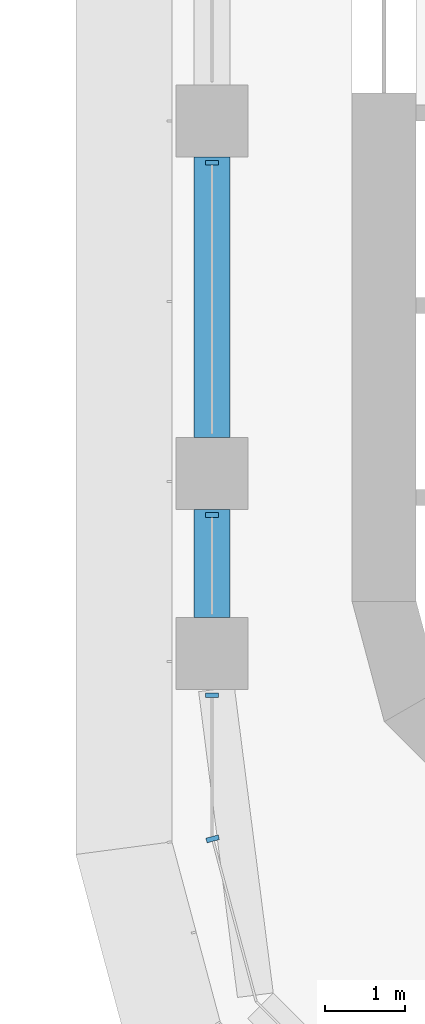
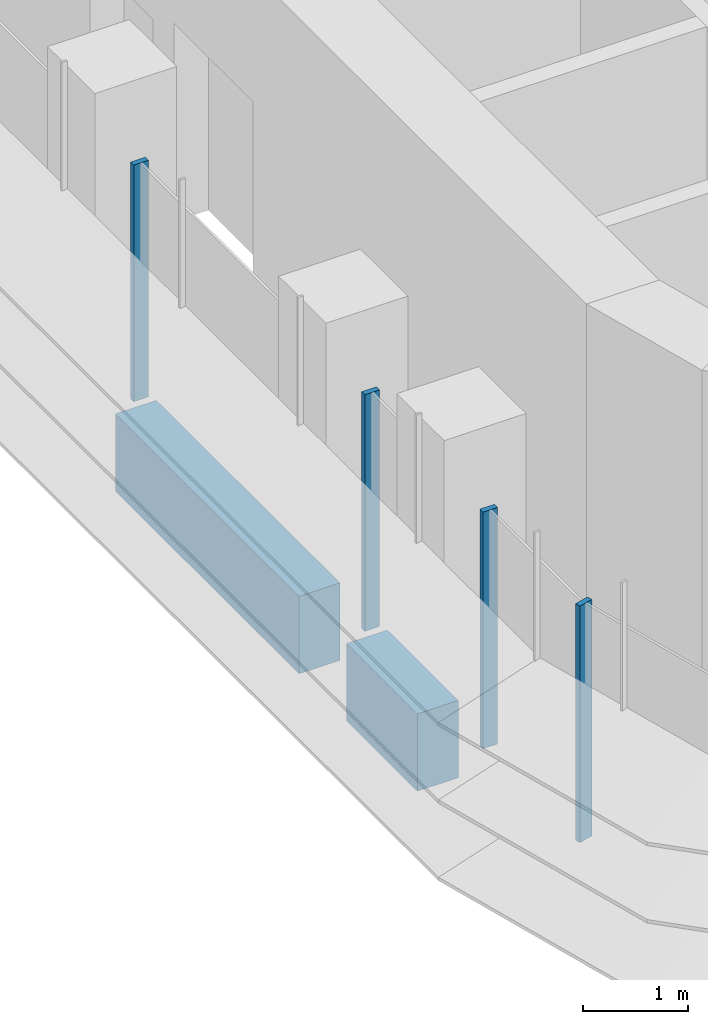
# One storey, part 2 of 22: 4 members, 2 beams, 2 elements without a shape of their own.
"""IFC4 building model written with IfcOpenShell, lengths in metres."""

from ifc_helpers import new_model, si_unit, direction, frame, origin, origin_2d, place, context, subcontext, project, spatial, polyline, rectangle, outline, extrude, source, transform, mapped, material, material_profile, profile_set, type_object, element, aggregate, save


model = new_model("IFC4")

# Units and contexts
model_context = context("Model", 3, precision=1e-05, world=origin(), true_north=direction((0.0, 1.0)))
body_context = subcontext(model_context, "Body", "Model", "MODEL_VIEW")
ifc_project = project(units=[si_unit("LENGTHUNIT", "METRE"), si_unit("AREAUNIT", "SQUARE_METRE"), si_unit("VOLUMEUNIT", "CUBIC_METRE"), si_unit("PLANEANGLEUNIT", "RADIAN"), si_unit("MASSUNIT", "GRAM", prefix="KILO")], contexts=[model_context])

# Site, building, storey
site_placement = place(None, origin())
site = spatial("IfcSite", under=ifc_project, at=site_placement, CompositionType="ELEMENT")
building_placement = place(site_placement, origin())
building = spatial("IfcBuilding", under=site, at=building_placement, Name="Zarbagh Exchange Tower", CompositionType="ELEMENT")
storey_placement = place(building_placement, frame((0.0, 0.0, 105.60009765625)))
storey = spatial("IfcBuildingStorey", under=building, at=storey_placement, Name="L24", CompositionType="ELEMENT", Elevation=105.60009765625)

# Beams
ifc_material_1 = material(Name="Concrete C60/75", Category="concrete")
ifc_material_profile = material_profile(ifc_material_1, rectangle(XDim=0.449951171875, YDim=0.89990234375, at=origin_2d()), Name="RC spandrel beam 450 x 900 C60/75")
ifc_profile_set = profile_set([ifc_material_profile], Name="Concrete C60/75")
beam_type = type_object("IfcBeamType", Name="RC spandrel beam 450 x 900 C60/75", PredefinedType="SPANDREL", material=ifc_profile_set)
beam_1_placement = place(storey_placement, frame((-6.25, -26.449951171875, -0.60009765625), z_axis=(0.0, 1.0, 0.0), x_axis=(-1.0, 0.0, 0.0)))
element("IfcBeam", 1, at=beam_1_placement, inside=storey, type_object=beam_type, Name="RC spandrel beam", PredefinedType="SPANDREL", context=body_context, shape_type="SweptSolid", body=[
    extrude(rectangle(XDim=0.449951171875, YDim=0.89990234375, at=origin_2d()), origin(), (0.0, 0.0, 1.0), 1.349853515625),
])
beam_2_placement = place(storey_placement, frame((-6.25, -24.199951171875, -0.60009765625), z_axis=(0.0, 1.0, 0.0), x_axis=(-1.0, 0.0, 0.0)))
element("IfcBeam", 2, at=beam_2_placement, inside=storey, type_object=beam_type, Name="RC spandrel beam", PredefinedType="SPANDREL", context=body_context, shape_type="SweptSolid", body=[
    extrude(rectangle(XDim=0.449951171875, YDim=0.89990234375, at=origin_2d()), origin(), (0.0, 0.0, 1.0), 3.5),
])

# Curtain wall, members
ifc_material_2 = material(Name="Anodised aluminium frame and glazing", Category="aluminium")
curtain_wall_type = type_object("IfcCurtainWallType", Name="CWA Ribbon glazing, lower zones", PredefinedType="NOTDEFINED", material=ifc_material_2)
curtain_wall_1_placement = place(storey_placement, origin())
curtain_wall_1 = element("IfcCurtainWall", 3, at=curtain_wall_1_placement, inside=storey, type_object=curtain_wall_type, Name="CWA44 curtain wall", PredefinedType="NOTDEFINED")
ifc_material_3 = material(Name="Anodised aluminium frame", Category="aluminium")
member_type = type_object("IfcMemberType", Name="MUA Mullion, anodised aluminium frame", PredefinedType="MULLION", material=ifc_material_3)
shared_shape = source(origin(), body_context, "Body", "SweptSolid", [
    extrude(outline(polyline([(0.0, -0.080078125), (0.06005859375, -0.080078125), (0.06005859375, 0.080078125), (0.0, 0.080078125), (0.0, -0.080078125)])), origin(), (0.0, 0.0, 1.0), 2.75),
])
placement = place(storey_placement, origin())
member_1 = element("IfcMember", 4, at=placement, type_object=member_type, Name="CWA44 mullion 3.1", PredefinedType="MULLION", context=body_context, shape_type="MappedRepresentation", body=[
    mapped(shared_shape, transform((-6.25, -20.739990234375, 0.0), x_axis=(0.0, -1.0, 0.0), y_axis=(1.0, 0.0, 0.0), z_axis=(0.0, 0.0, 1.0))),
])
member_2 = element("IfcMember", 5, at=placement, type_object=member_type, Name="CWA44 mullion 4.1", PredefinedType="MULLION", context=body_context, shape_type="MappedRepresentation", body=[
    mapped(shared_shape, transform((-6.25, -25.14013671875, 0.0), x_axis=(0.0, -1.0, 0.0), y_axis=(1.0, 0.0, 0.0), z_axis=(0.0, 0.0, 1.0))),
])
member_3 = element("IfcMember", 6, at=placement, type_object=member_type, Name="CWA44 mullion 5.1", PredefinedType="MULLION", context=body_context, shape_type="MappedRepresentation", body=[
    mapped(shared_shape, transform((-6.25, -27.39013671875, 0.0), x_axis=(0.0, -1.0, 0.0), y_axis=(1.0, 0.0, 0.0), z_axis=(0.0, 0.0, 1.0))),
])
aggregate(curtain_wall_1, [member_1, member_2, member_3])

# Curtain wall, member
curtain_wall_2_placement = place(storey_placement, origin())
curtain_wall_2 = element("IfcCurtainWall", 7, at=curtain_wall_2_placement, inside=storey, type_object=curtain_wall_type, Name="CWA45 curtain wall", PredefinedType="NOTDEFINED")
member_4 = element("IfcMember", 8, at=placement, type_object=member_type, Name="CWA45 mullion 1.1", PredefinedType="MULLION", context=body_context, shape_type="MappedRepresentation", body=[
    mapped(shared_shape, transform((-6.25, -29.18408203125, 0.0), x_axis=(0.258824779902, -0.965924289636, 0.0), y_axis=(0.965924289636, 0.258824779902, 0.0), z_axis=(0.0, 0.0, 1.0))),
])
aggregate(curtain_wall_2, [member_4])

save(model, "model.ifc")
